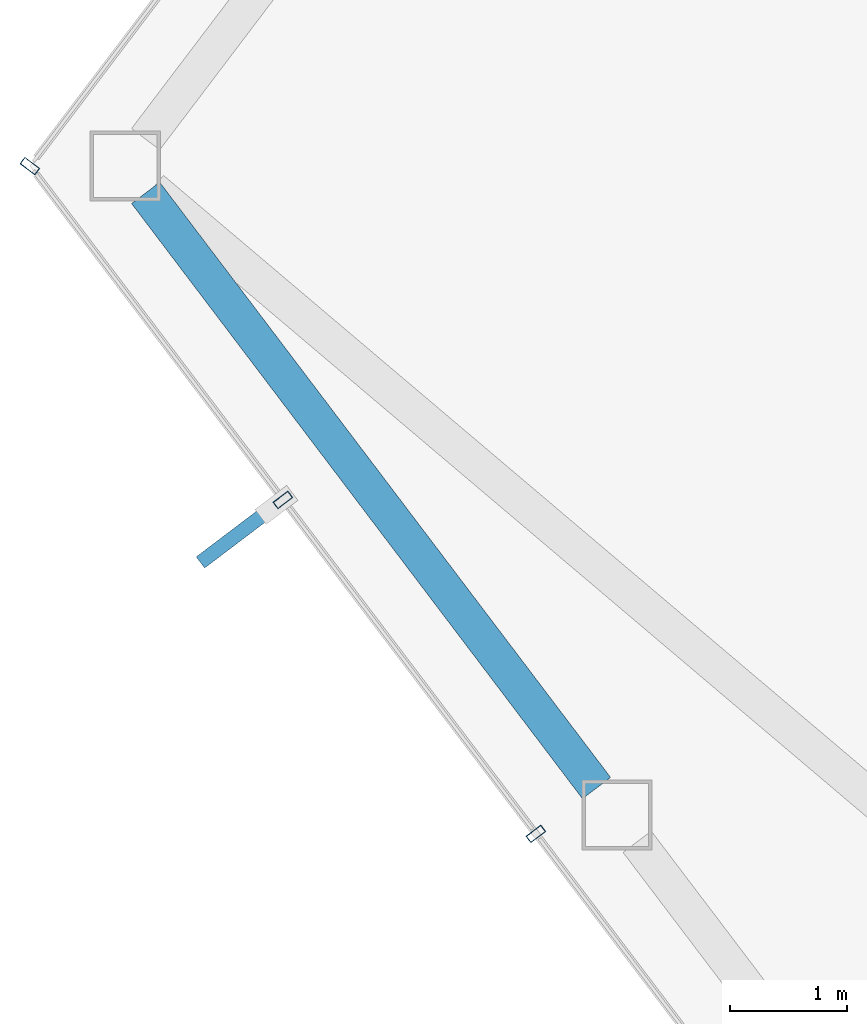
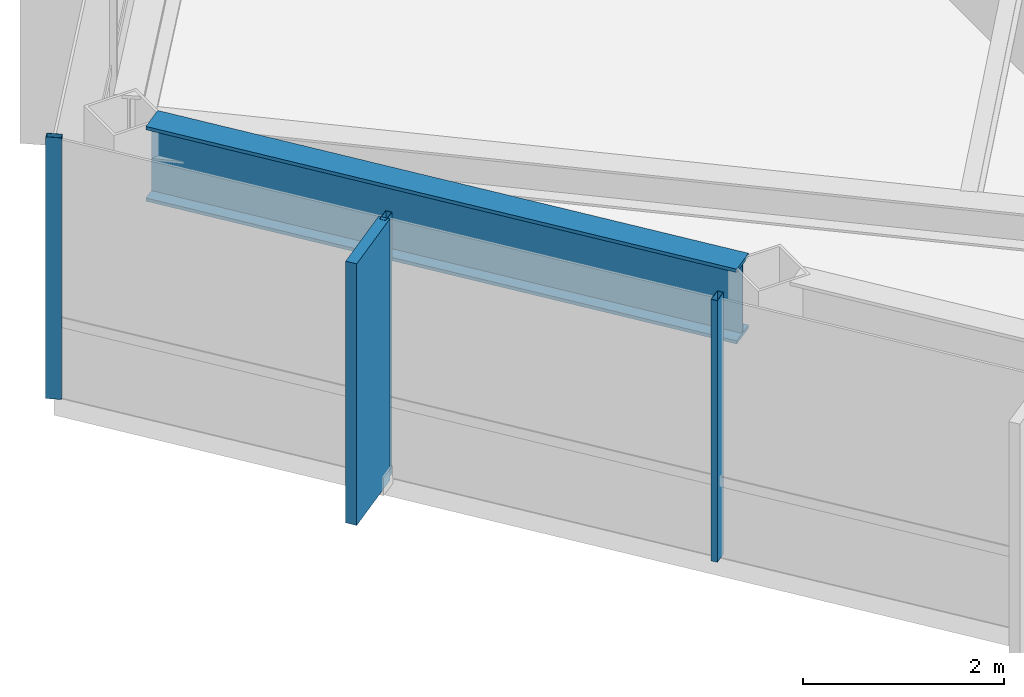
# One storey, part 10 of 27: 4 members, 1 beam, 2 elements without a shape of their own.
"""IFC4 building model written with IfcOpenShell, lengths in metres."""

from ifc_helpers import new_model, si_unit, direction, frame, origin, origin_2d, place, context, subcontext, project, spatial, rectangle, hollow_rectangle, i_section, extrude, material, layer, layer_set, material_profile, profile_set, type_object, element, aggregate, save


model = new_model("IFC4")

# Units and contexts
model_context = context("Model", 3, precision=1e-05, world=origin(), true_north=direction((0.0, 1.0)))
body_context = subcontext(model_context, "Body", "Model", "MODEL_VIEW")
ifc_project = project(units=[si_unit("LENGTHUNIT", "METRE"), si_unit("AREAUNIT", "SQUARE_METRE"), si_unit("VOLUMEUNIT", "CUBIC_METRE"), si_unit("PLANEANGLEUNIT", "RADIAN"), si_unit("MASSUNIT", "GRAM", prefix="KILO")], contexts=[model_context])

# Site, building, storey
site_placement = place(None, origin())
site = spatial("IfcSite", under=ifc_project, at=site_placement, CompositionType="ELEMENT")
building_placement = place(site_placement, origin())
building = spatial("IfcBuilding", under=site, at=building_placement, Name="Zarrinselat Tower", CompositionType="ELEMENT")
storey_placement = place(building_placement, frame((0.0, 0.0, 232.56005859375)))
storey = spatial("IfcBuildingStorey", under=building, at=storey_placement, Name="L58", CompositionType="ELEMENT", Elevation=232.56005859375)

# Beam
ifc_material_1 = material(Name="Steel S460M", Category="steel")
ifc_material_profile_1 = material_profile(ifc_material_1, i_section(OverallWidth=0.302001953125, OverallDepth=0.909912109375, WebThickness=0.02099609375, FlangeThickness=0.0400390625, at=origin_2d()), Name="HEM 900")
ifc_profile_set_1 = profile_set([ifc_material_profile_1], Name="Steel S460M")
beam_type = type_object("IfcBeamType", Name="BM-HEM900", PredefinedType="BEAM", material=ifc_profile_set_1)
beam_placement = place(storey_placement, frame((16.30078125, 40.951904296875, 2.724853515625), z_axis=(0.603865048742, -0.797086571777, 0.0), x_axis=(0.797086571777, 0.603865048742, 0.0)))
element("IfcBeam", 1, at=beam_placement, inside=storey, type_object=beam_type, Name="L58 Perimeter Spandrel Girder SP06", PredefinedType="BEAM", context=body_context, shape_type="SweptSolid", body=[
    extrude(i_section(OverallWidth=0.302001953125, OverallDepth=0.909912109375, WebThickness=0.02099609375, FlangeThickness=0.0400390625, at=origin_2d()), origin(), (0.0, 0.0, 1.0), 6.385986328125),
])

# Curtain wall, member
ifc_material_2 = material(Name="Extruded Aluminium Alloy EN AW-6063 T6", Category="aluminium")
ifc_layer = layer(ifc_material_2, 0.169921875)
ifc_layer_set = layer_set([ifc_layer], Name="Extruded Aluminium Alloy EN AW-6063 T6")
curtain_wall_type = type_object("IfcCurtainWallType", Name="CWS-RES", PredefinedType="NOTDEFINED", material=ifc_layer_set)
curtain_wall_1_placement = place(storey_placement, origin())
curtain_wall_1 = element("IfcCurtainWall", 2, at=curtain_wall_1_placement, inside=storey, type_object=curtain_wall_type, Name="L58 Unitised Curtain Wall CW-L58-E02", PredefinedType="NOTDEFINED")
ifc_material_3 = material(Name="Extruded Aluminium Alloy EN AW-6063 T6", Category="aluminium")
ifc_material_profile_2 = material_profile(ifc_material_3, hollow_rectangle(XDim=0.070068359375, YDim=0.159912109375, WallThickness=0.00390625, at=origin_2d()), Name="RHS 160x70x4")
ifc_profile_set_2 = profile_set([ifc_material_profile_2], Name="Extruded Aluminium Alloy EN AW-6063 T6")
member_type_1 = type_object("IfcMemberType", Name="MEM-CW-MUL2", PredefinedType="MULLION", material=ifc_profile_set_2)
member_1_placement = place(storey_placement, frame((15.311279296875, 41.181396484375, 0.0), z_axis=(0.0, 0.0, 1.0), x_axis=(-0.603855713814, -0.797093643742, 0.0)))
member_1 = element("IfcMember", 3, at=member_1_placement, type_object=member_type_1, Name="CW-L58-E02 Mullion 2", PredefinedType="MULLION", context=body_context, shape_type="SweptSolid", body=[
    extrude(hollow_rectangle(XDim=0.070068359375, YDim=0.159912109375, WallThickness=0.00390625, at=origin_2d()), origin(), (0.0, 0.0, 1.0), 3.179931640625),
])
aggregate(curtain_wall_1, [member_1])

# Curtain wall, members
curtain_wall_2_placement = place(storey_placement, origin())
curtain_wall_2 = element("IfcCurtainWall", 4, at=curtain_wall_2_placement, inside=storey, type_object=curtain_wall_type, Name="L58 Unitised Curtain Wall CW-L58-E03", PredefinedType="NOTDEFINED")
member_2_placement = place(storey_placement, frame((17.474853515625, 38.32568359375, 0.0), z_axis=(0.0, 0.0, 1.0), x_axis=(0.603857419315, -0.7970923517, 0.0)))
member_2 = element("IfcMember", 5, at=member_2_placement, type_object=member_type_1, Name="CW-L58-E03 Mullion 1", PredefinedType="MULLION", context=body_context, shape_type="SweptSolid", body=[
    extrude(hollow_rectangle(XDim=0.070068359375, YDim=0.159912109375, WallThickness=0.00390625, at=origin_2d()), origin(), (0.0, 0.0, 1.0), 3.179931640625),
])
member_3_placement = place(storey_placement, frame((19.638427734375, 35.469482421875, 0.0), z_axis=(0.0, 0.0, 1.0), x_axis=(0.603857419315, -0.7970923517, 0.0)))
member_3 = element("IfcMember", 6, at=member_3_placement, type_object=member_type_1, Name="CW-L58-E03 Mullion 2", PredefinedType="MULLION", context=body_context, shape_type="SweptSolid", body=[
    extrude(hollow_rectangle(XDim=0.070068359375, YDim=0.159912109375, WallThickness=0.00390625, at=origin_2d()), origin(), (0.0, 0.0, 1.0), 3.179931640625),
])
ifc_material_4 = material(Name="Honed Cream Travertine Stone", Category="masonry")
ifc_material_profile_3 = material_profile(ifc_material_4, rectangle(XDim=0.1201171875, YDim=0.85009765625, at=origin_2d()), Name="FIN 850x120")
ifc_profile_set_3 = profile_set([ifc_material_profile_3], Name="Honed Cream Travertine Stone")
member_type_2 = type_object("IfcMemberType", Name="MEM-STONE-FIN", PredefinedType="USERDEFINED", material=ifc_profile_set_3)
member_4_placement = place(storey_placement, frame((17.108154296875, 38.0478515625, 0.0), z_axis=(0.0, 0.0, 1.0), x_axis=(-0.603857419315, 0.7970923517, 0.0)))
member_4 = element("IfcMember", 7, at=member_4_placement, type_object=member_type_2, Name="L58 Stone Shading Fin CW-L58-E03-01", ObjectType="FIN", PredefinedType="USERDEFINED", context=body_context, shape_type="SweptSolid", body=[
    extrude(rectangle(XDim=0.1201171875, YDim=0.85009765625, at=origin_2d()), origin(), (0.0, 0.0, 1.0), 3.179931640625),
])
aggregate(curtain_wall_2, [member_2, member_4, member_3])

save(model, "model.ifc")
